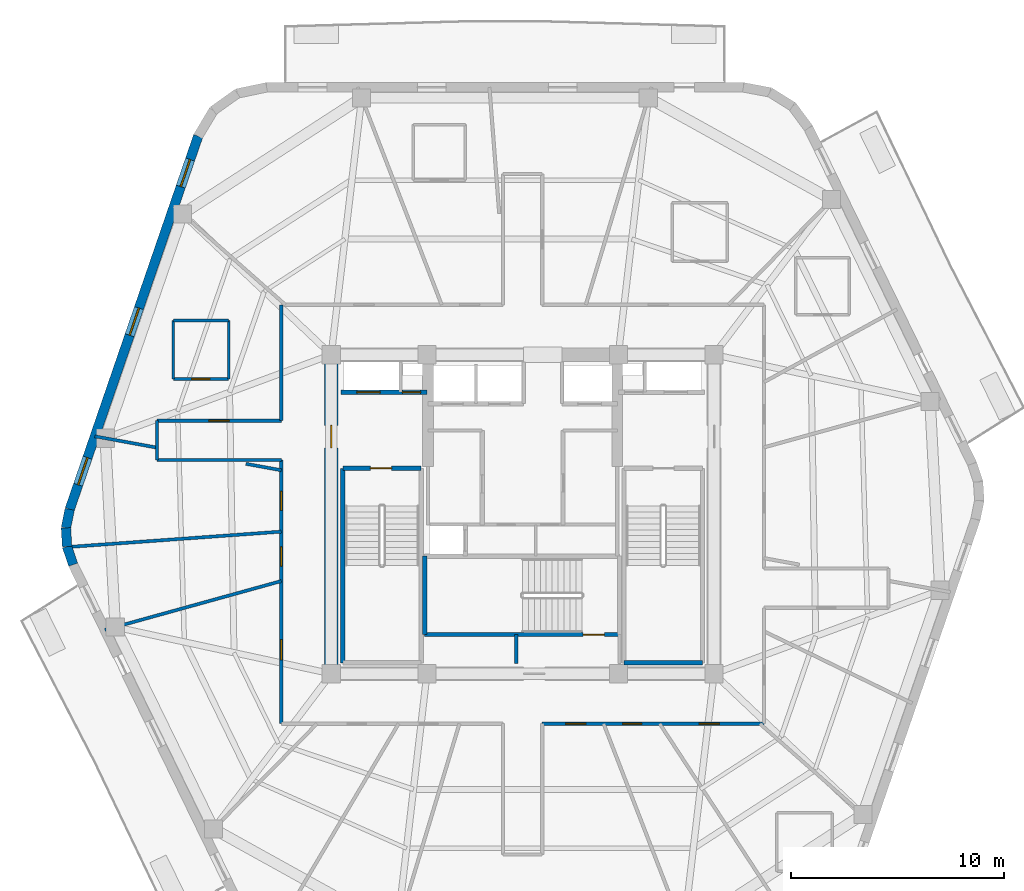
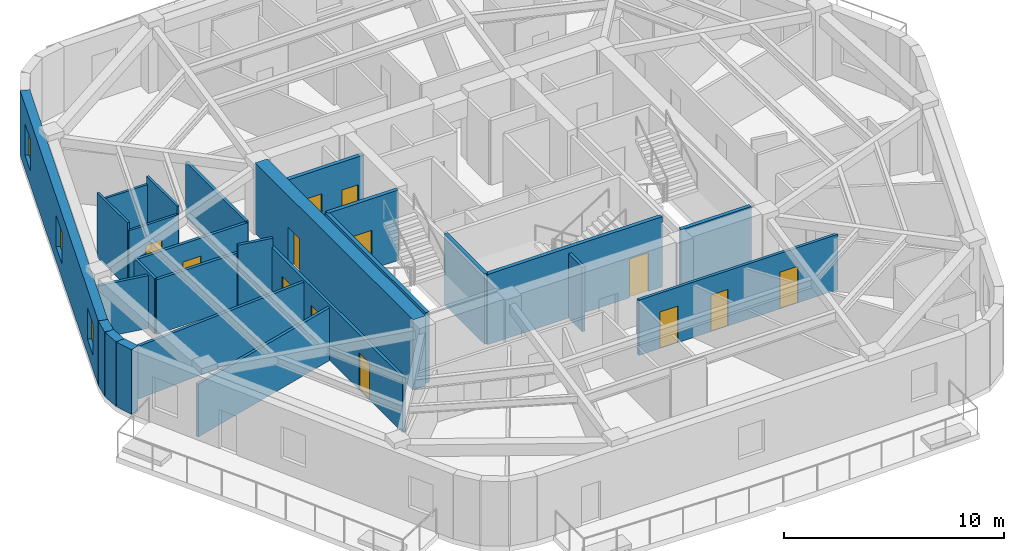
# One storey, part 3 of 9: 26 walls, 13 doors, 3 windows, 16 openings.
"""IFC4 building model written with IfcOpenShell, lengths in metres."""

from ifc_helpers import new_model, si_unit, direction, frame, frame_2d, origin, place, context, subcontext, project, spatial, rectangle, extrude, material, layer, layer_set, type_object, element, fill, save


model = new_model("IFC4")

# Units and contexts
model_context = context("Model", 3, precision=1e-05, world=origin(), true_north=direction((0.0, 1.0)))
body_context = subcontext(model_context, "Body", "Model", "MODEL_VIEW")
ifc_project = project(units=[si_unit("LENGTHUNIT", "METRE"), si_unit("AREAUNIT", "SQUARE_METRE"), si_unit("VOLUMEUNIT", "CUBIC_METRE"), si_unit("PLANEANGLEUNIT", "RADIAN"), si_unit("MASSUNIT", "GRAM", prefix="KILO")], contexts=[model_context])

# Site, building, storey
site_placement = place(None, origin())
site = spatial("IfcSite", under=ifc_project, at=site_placement, CompositionType="ELEMENT")
building_placement = place(site_placement, origin())
building = spatial("IfcBuilding", under=site, at=building_placement, Name="Kilnhurst Terrace Hotel", CompositionType="ELEMENT")
storey_placement = place(building_placement, frame((0.0, 0.0, 284.699951171875)))
storey = spatial("IfcBuildingStorey", under=building, at=storey_placement, Name="L71", CompositionType="ELEMENT", Elevation=284.699951171875)

# Walls
ifc_material_1 = material(Name="Precast concrete C40/50", Category="concrete")
ifc_layer_1 = layer(ifc_material_1, 0.449951171875, Name="Precast concrete C40/50")
ifc_layer_set_1 = layer_set([ifc_layer_1], Name="Precast concrete C40/50")
wall_type_1 = type_object("IfcWallType", Name="WL-BRK-450", PredefinedType="SOLIDWALL", material=ifc_layer_set_1)
wall_1_placement = place(storey_placement, frame((-21.297607421875, 0.2333984375, 0.0), z_axis=(0.0, 0.0, 1.0), x_axis=(-0.199158176661, -0.979967356941, 0.0)))
element("IfcWall", 1, at=wall_1_placement, inside=storey, type_object=wall_type_1, Name="L71 Rounded Corner Brick Wall C6.1", PredefinedType="SOLIDWALL", context=body_context, shape_type="SweptSolid", body=[
    extrude(rectangle(XDim=0.894775390625, YDim=0.449951171875, at=frame_2d((0.447265625, 0.0))), origin(), (0.0, 0.0, 1.0), 3.580078125),
])
wall_2_placement = place(storey_placement, frame((-21.475830078125, -0.6435546875, 0.0), z_axis=(0.0, 0.0, 1.0), x_axis=(0.061031097918, -0.998135865044, 0.0)))
element("IfcWall", 2, at=wall_2_placement, inside=storey, type_object=wall_type_1, Name="L71 Rounded Corner Brick Wall C6.2", PredefinedType="SOLIDWALL", context=body_context, shape_type="SweptSolid", body=[
    extrude(rectangle(XDim=0.880126953125, YDim=0.449951171875, at=frame_2d((0.43994140625, 0.0))), origin(), (0.0, 0.0, 1.0), 3.580078125),
])
wall_3_placement = place(storey_placement, frame((-21.422119140625, -1.52197265625, 0.0), z_axis=(0.0, 0.0, 1.0), x_axis=(0.316964162323, -0.94843751497, 0.0)))
element("IfcWall", 3, at=wall_3_placement, inside=storey, type_object=wall_type_1, Name="L71 Rounded Corner Brick Wall C6.3", PredefinedType="SOLIDWALL", context=body_context, shape_type="SweptSolid", body=[
    extrude(rectangle(XDim=0.89501953125, YDim=0.449951171875, at=frame_2d((0.447509765625, 0.0))), origin(), (0.0, 0.0, 1.0), 3.580078125),
])

# Wall, openings, windows
wall_4_placement = place(storey_placement, frame((-15.260498046875, 17.776123046875, 0.0), z_axis=(0.0, 0.0, 1.0), x_axis=(-0.325407437101, -0.945573899745, 0.0)))
wall_4 = element("IfcWall", 4, at=wall_4_placement, inside=storey, type_object=wall_type_1, Name="L71 Exterior Brick Facade Wall F5", PredefinedType="SOLIDWALL", context=body_context, shape_type="SweptSolid", body=[
    extrude(rectangle(XDim=18.552490234375, YDim=0.449951171875, at=frame_2d((9.2763671875, 0.0))), origin(), (0.0, 0.0, 1.0), 3.580078125),
])
opening_1_placement = place(wall_4_placement, frame((1.160888671875, 0.0, 0.800048828125)))
opening_1 = element("IfcOpeningElement", 5, at=opening_1_placement, cuts=wall_4, Name="Opening W-06", PredefinedType="OPENING", context=body_context, shape_type="SweptSolid", body=[
    extrude(rectangle(XDim=1.35009765625, YDim=1.75, at=frame_2d((0.675048828125, 0.875))), frame((0.0, 0.23486328125, 0.0), z_axis=(0.0, -1.0, 0.0), x_axis=(1.0, 0.0, 0.0)), (0.0, 0.0, 1.0), 0.469970703125),
])
opening_2_placement = place(wall_4_placement, frame((8.548095703125, 0.0, 0.800048828125)))
opening_2 = element("IfcOpeningElement", 6, at=opening_2_placement, cuts=wall_4, Name="Opening W-06", PredefinedType="OPENING", context=body_context, shape_type="SweptSolid", body=[
    extrude(rectangle(XDim=1.35009765625, YDim=1.75, at=frame_2d((0.675048828125, 0.875))), frame((0.0, 0.23486328125, 0.0), z_axis=(0.0, -1.0, 0.0), x_axis=(1.0, 0.0, 0.0)), (0.0, 0.0, 1.0), 0.469970703125),
])
opening_3_placement = place(wall_4_placement, frame((15.987060546875, 0.0, 0.800048828125)))
opening_3 = element("IfcOpeningElement", 7, at=opening_3_placement, cuts=wall_4, Name="Opening W-06", PredefinedType="OPENING", context=body_context, shape_type="SweptSolid", body=[
    extrude(rectangle(XDim=1.35009765625, YDim=1.75, at=frame_2d((0.675048828125, 0.875))), frame((0.0, 0.23486328125, 0.0), z_axis=(0.0, -1.0, 0.0), x_axis=(1.0, 0.0, 0.0)), (0.0, 0.0, 1.0), 0.469970703125),
])
ifc_material_2 = material(Name="Thermally Broken Bronze Aluminium Alloy 6063-T6 and Low-E Glass", Category="aluminium")
window_type = type_object("IfcWindowType", Name="WIN-1350X1750", PartitioningType="SINGLE_PANEL", PredefinedType="WINDOW", material=ifc_material_2)
window_1_placement = place(opening_1_placement, origin())
window_1 = element("IfcWindow", 8, at=window_1_placement, inside=storey, type_object=window_type, Name="L71 Deep-Set Masonry Window F5.1", OverallHeight=1.75, OverallWidth=1.35009765625, PartitioningType="SINGLE_PANEL", PredefinedType="WINDOW", context=body_context, shape_type="SweptSolid", body=[
    extrude(rectangle(XDim=1.35009765625, YDim=1.75, at=frame_2d((0.675048828125, 0.875))), frame((0.0, 0.030029296875, 0.0), z_axis=(0.0, -1.0, 0.0), x_axis=(1.0, 0.0, 0.0)), (0.0, 0.0, 1.0), 0.06005859375),
])
fill(opening_1, window_1)
window_2_placement = place(opening_2_placement, origin())
window_2 = element("IfcWindow", 9, at=window_2_placement, inside=storey, type_object=window_type, Name="L71 Deep-Set Masonry Window F5.2", OverallHeight=1.75, OverallWidth=1.35009765625, PartitioningType="SINGLE_PANEL", PredefinedType="WINDOW", context=body_context, shape_type="SweptSolid", body=[
    extrude(rectangle(XDim=1.35009765625, YDim=1.75, at=frame_2d((0.675048828125, 0.875))), frame((0.0, 0.030029296875, 0.0), z_axis=(0.0, -1.0, 0.0), x_axis=(1.0, 0.0, 0.0)), (0.0, 0.0, 1.0), 0.06005859375),
])
fill(opening_2, window_2)
window_3_placement = place(opening_3_placement, origin())
window_3 = element("IfcWindow", 10, at=window_3_placement, inside=storey, type_object=window_type, Name="L71 Deep-Set Masonry Window F5.3", OverallHeight=1.75, OverallWidth=1.35009765625, PartitioningType="SINGLE_PANEL", PredefinedType="WINDOW", context=body_context, shape_type="SweptSolid", body=[
    extrude(rectangle(XDim=1.35009765625, YDim=1.75, at=frame_2d((0.675048828125, 0.875))), frame((0.0, 0.030029296875, 0.0), z_axis=(0.0, -1.0, 0.0), x_axis=(1.0, 0.0, 0.0)), (0.0, 0.0, 1.0), 0.06005859375),
])
fill(opening_3, window_3)

# Wall, openings, doors
ifc_material_3 = material(Name="Acoustic Double-Gypsum Corridor Partition Assembly")
ifc_layer_2 = layer(ifc_material_3, 0.14990234375, Name="Acoustic Double-Gypsum Corridor Partition Assembly")
ifc_layer_set_2 = layer_set([ifc_layer_2], Name="Acoustic Double-Gypsum Corridor Partition Assembly")
wall_type_2 = type_object("IfcWallType", Name="WL-COR-150", PredefinedType="PARTITIONING", material=ifc_layer_set_2)
wall_5_placement = place(storey_placement, frame((-11.35009765625, -9.85009765625, 0.0), z_axis=(0.0, 0.0, 1.0), x_axis=(0.0, 1.0, 0.0)))
wall_5 = element("IfcWall", 11, at=wall_5_placement, inside=storey, type_object=wall_type_2, Name="L71 Interior Wall WL-L71-COR-01", PredefinedType="PARTITIONING", context=body_context, shape_type="SweptSolid", body=[
    extrude(rectangle(XDim=12.400146484375, YDim=0.14990234375, at=frame_2d((6.2001953125, 0.0))), origin(), (0.0, 0.0, 1.0), 3.070068359375),
])
opening_4_placement = place(wall_5_placement, frame((10.02587890625, 0.0, 0.0)))
opening_4 = element("IfcOpeningElement", 12, at=opening_4_placement, cuts=wall_5, Name="Opening D-60C", PredefinedType="OPENING", context=body_context, shape_type="SweptSolid", body=[
    extrude(rectangle(XDim=0.89990234375, YDim=2.030029296875, at=frame_2d((0.449951171875, 1.01513671875))), frame((0.0, 0.0849609375, 0.0), z_axis=(0.0, -1.0, 0.0), x_axis=(1.0, 0.0, 0.0)), (0.0, 0.0, 1.0), 0.169921875),
])
opening_5_placement = place(wall_5_placement, frame((7.4150390625, 0.0, 0.0)))
opening_5 = element("IfcOpeningElement", 13, at=opening_5_placement, cuts=wall_5, Name="Opening D-60C", PredefinedType="OPENING", context=body_context, shape_type="SweptSolid", body=[
    extrude(rectangle(XDim=0.89990234375, YDim=2.030029296875, at=frame_2d((0.449951171875, 1.01513671875))), frame((0.0, 0.0849609375, 0.0), z_axis=(0.0, -1.0, 0.0), x_axis=(1.0, 0.0, 0.0)), (0.0, 0.0, 1.0), 0.169921875),
])
opening_6_placement = place(wall_5_placement, frame((2.998046875, 0.0, 0.0)))
opening_6 = element("IfcOpeningElement", 14, at=opening_6_placement, cuts=wall_5, Name="Opening D-60B", PredefinedType="OPENING", context=body_context, shape_type="SweptSolid", body=[
    extrude(rectangle(XDim=0.949951171875, YDim=2.030029296875, at=frame_2d((0.47509765625, 1.01513671875))), frame((0.0, 0.0849609375, 0.0), z_axis=(0.0, -1.0, 0.0), x_axis=(1.0, 0.0, 0.0)), (0.0, 0.0, 1.0), 0.169921875),
])
ifc_material_4 = material(Name="Painted Solid-Core Service Fire Door")
door_type_1 = type_object("IfcDoorType", Name="DR-FD60-900", OperationType="NOTDEFINED", PredefinedType="DOOR", material=ifc_material_4)
door_1_placement = place(opening_4_placement, origin())
door_1 = element("IfcDoor", 15, at=door_1_placement, inside=storey, type_object=door_type_1, Name="L71 Botanical Reading Lounge Door 8", OperationType="SINGLE_SWING_RIGHT", OverallHeight=2.030029296875, OverallWidth=0.89990234375, PredefinedType="DOOR", context=body_context, shape_type="SweptSolid", body=[
    extrude(rectangle(XDim=0.89990234375, YDim=2.030029296875, at=frame_2d((0.449951171875, 1.01513671875))), frame((0.0, 0.02490234375, 0.0), z_axis=(0.0, -1.0, 0.0), x_axis=(1.0, 0.0, 0.0)), (0.0, 0.0, 1.0), 0.050048828125),
])
fill(opening_4, door_1)
door_2_placement = place(opening_5_placement, origin())
door_2 = element("IfcDoor", 16, at=door_2_placement, inside=storey, type_object=door_type_1, Name="L71 Private Meeting Salon Door 9", OperationType="SINGLE_SWING_LEFT", OverallHeight=2.030029296875, OverallWidth=0.89990234375, PredefinedType="DOOR", context=body_context, shape_type="SweptSolid", body=[
    extrude(rectangle(XDim=0.89990234375, YDim=2.030029296875, at=frame_2d((0.449951171875, 1.01513671875))), frame((0.0, 0.02490234375, 0.0), z_axis=(0.0, -1.0, 0.0), x_axis=(1.0, 0.0, 0.0)), (0.0, 0.0, 1.0), 0.050048828125),
])
fill(opening_5, door_2)
ifc_material_5 = material(Name="Acoustic Walnut Veneer Solid-Core Fire Door")
door_type_2 = type_object("IfcDoorType", Name="DR-FD60-950", OperationType="NOTDEFINED", PredefinedType="DOOR", material=ifc_material_5)
door_3_placement = place(opening_6_placement, origin())
door_3 = element("IfcDoor", 17, at=door_3_placement, inside=storey, type_object=door_type_2, Name="L71 Wellness Spa Room Door", OperationType="SINGLE_SWING_RIGHT", OverallHeight=2.030029296875, OverallWidth=0.949951171875, PredefinedType="DOOR", context=body_context, shape_type="SweptSolid", body=[
    extrude(rectangle(XDim=0.949951171875, YDim=2.030029296875, at=frame_2d((0.47509765625, 1.01513671875))), frame((0.0, 0.02490234375, 0.0), z_axis=(0.0, -1.0, 0.0), x_axis=(1.0, 0.0, 0.0)), (0.0, 0.0, 1.0), 0.050048828125),
])
fill(opening_6, door_3)

# Walls
wall_6_placement = place(storey_placement, frame((-11.35009765625, 2.550048828125, 0.0), z_axis=(0.0, 0.0, 1.0), x_axis=(-1.0, 0.0, 0.0)))
element("IfcWall", 18, at=wall_6_placement, inside=storey, type_object=wall_type_2, Name="L71 Interior Wall WL-L71-COR-02", PredefinedType="PARTITIONING", context=body_context, shape_type="SweptSolid", body=[
    extrude(rectangle(XDim=5.849853515625, YDim=0.14990234375, at=frame_2d((2.9248046875, 0.0))), origin(), (0.0, 0.0, 1.0), 3.0205078125),
])
wall_7_placement = place(storey_placement, frame((-17.199951171875, 2.550048828125, 0.0), z_axis=(0.0, 0.0, 1.0), x_axis=(0.0, 1.0, 0.0)))
element("IfcWall", 19, at=wall_7_placement, inside=storey, type_object=wall_type_2, Name="L71 Interior Wall WL-L71-COR-03", PredefinedType="PARTITIONING", context=body_context, shape_type="SweptSolid", body=[
    extrude(rectangle(XDim=1.849853515625, YDim=0.14990234375, at=frame_2d((0.9248046875, 0.0))), origin(), (0.0, 0.0, 1.0), 3.070068359375),
])

# Wall, opening, door
wall_8_placement = place(storey_placement, frame((-17.199951171875, 4.39990234375, 0.0), z_axis=(0.0, 0.0, 1.0), x_axis=(1.0, 0.0, 0.0)))
wall_8 = element("IfcWall", 20, at=wall_8_placement, inside=storey, type_object=wall_type_2, Name="L71 Interior Wall WL-L71-COR-04", PredefinedType="PARTITIONING", context=body_context, shape_type="SweptSolid", body=[
    extrude(rectangle(XDim=5.849853515625, YDim=0.14990234375, at=frame_2d((2.9248046875, 0.0))), origin(), (0.0, 0.0, 1.0), 3.0205078125),
])
opening_7_placement = place(wall_8_placement, frame((2.449951171875, 0.0, 0.0)))
opening_7 = element("IfcOpeningElement", 21, at=opening_7_placement, cuts=wall_8, Name="Opening D-60B", PredefinedType="OPENING", context=body_context, shape_type="SweptSolid", body=[
    extrude(rectangle(XDim=0.949951171875, YDim=2.030029296875, at=frame_2d((0.47509765625, 1.01513671875))), frame((0.0, 0.0849609375, 0.0), z_axis=(0.0, -1.0, 0.0), x_axis=(1.0, 0.0, 0.0)), (0.0, 0.0, 1.0), 0.169921875),
])
door_4_placement = place(opening_7_placement, origin())
door_4 = element("IfcDoor", 22, at=door_4_placement, inside=storey, type_object=door_type_2, Name="L71 Executive Suite Entry Door 7", OperationType="SINGLE_SWING_LEFT", OverallHeight=2.030029296875, OverallWidth=0.949951171875, PredefinedType="DOOR", context=body_context, shape_type="SweptSolid", body=[
    extrude(rectangle(XDim=0.949951171875, YDim=2.030029296875, at=frame_2d((0.47509765625, 1.01513671875))), frame((0.0, 0.02490234375, 0.0), z_axis=(0.0, -1.0, 0.0), x_axis=(1.0, 0.0, 0.0)), (0.0, 0.0, 1.0), 0.050048828125),
])
fill(opening_7, door_4)

# Wall
wall_9_placement = place(storey_placement, frame((-11.35009765625, 4.39990234375, 0.0), z_axis=(0.0, 0.0, 1.0), x_axis=(0.0, 1.0, 0.0)))
element("IfcWall", 23, at=wall_9_placement, inside=storey, type_object=wall_type_2, Name="L71 Interior Wall WL-L71-COR-05", PredefinedType="PARTITIONING", context=body_context, shape_type="SweptSolid", body=[
    extrude(rectangle(XDim=5.4501953125, YDim=0.14990234375, at=frame_2d((2.72509765625, 0.0))), origin(), (0.0, 0.0, 1.0), 3.070068359375),
])

# Wall, openings, doors
wall_10_placement = place(storey_placement, frame((11.35009765625, -9.85009765625, 0.0), z_axis=(0.0, 0.0, 1.0), x_axis=(-1.0, 0.0, 0.0)))
wall_10 = element("IfcWall", 24, at=wall_10_placement, inside=storey, type_object=wall_type_2, Name="L71 Interior Wall WL-L71-COR-16", PredefinedType="PARTITIONING", context=body_context, shape_type="SweptSolid", body=[
    extrude(rectangle(XDim=10.43017578125, YDim=0.14990234375, at=frame_2d((5.215087890625, 0.0))), origin(), (0.0, 0.0, 1.0), 3.070068359375),
])
opening_8_placement = place(wall_10_placement, frame((8.382080078125, 0.0, 0.0)))
opening_8 = element("IfcOpeningElement", 25, at=opening_8_placement, cuts=wall_10, Name="Opening D-60B", PredefinedType="OPENING", context=body_context, shape_type="SweptSolid", body=[
    extrude(rectangle(XDim=0.949951171875, YDim=2.030029296875, at=frame_2d((0.47509765625, 1.01513671875))), frame((0.0, 0.0849609375, 0.0), z_axis=(0.0, -1.0, 0.0), x_axis=(1.0, 0.0, 0.0)), (0.0, 0.0, 1.0), 0.169921875),
])
opening_9_placement = place(wall_10_placement, frame((5.75, 0.0, 0.0)))
opening_9 = element("IfcOpeningElement", 26, at=opening_9_placement, cuts=wall_10, Name="Opening D-60C", PredefinedType="OPENING", context=body_context, shape_type="SweptSolid", body=[
    extrude(rectangle(XDim=0.89990234375, YDim=2.030029296875, at=frame_2d((0.449951171875, 1.01513671875))), frame((0.0, 0.0849609375, 0.0), z_axis=(0.0, -1.0, 0.0), x_axis=(1.0, 0.0, 0.0)), (0.0, 0.0, 1.0), 0.169921875),
])
opening_10_placement = place(wall_10_placement, frame((2.096923828125, 0.0, 0.0)))
opening_10 = element("IfcOpeningElement", 27, at=opening_10_placement, cuts=wall_10, Name="Opening D-60B", PredefinedType="OPENING", context=body_context, shape_type="SweptSolid", body=[
    extrude(rectangle(XDim=0.949951171875, YDim=2.030029296875, at=frame_2d((0.47509765625, 1.01513671875))), frame((0.0, 0.0849609375, 0.0), z_axis=(0.0, -1.0, 0.0), x_axis=(1.0, 0.0, 0.0)), (0.0, 0.0, 1.0), 0.169921875),
])
door_5_placement = place(opening_9_placement, origin())
door_5 = element("IfcDoor", 28, at=door_5_placement, inside=storey, type_object=door_type_1, Name="L71 Executive Work Office Door 14", OperationType="SINGLE_SWING_RIGHT", OverallHeight=2.030029296875, OverallWidth=0.89990234375, PredefinedType="DOOR", context=body_context, shape_type="SweptSolid", body=[
    extrude(rectangle(XDim=0.89990234375, YDim=2.030029296875, at=frame_2d((0.449951171875, 1.01513671875))), frame((0.0, 0.02490234375, 0.0), z_axis=(0.0, -1.0, 0.0), x_axis=(1.0, 0.0, 0.0)), (0.0, 0.0, 1.0), 0.050048828125),
])
fill(opening_9, door_5)
door_6_placement = place(opening_8_placement, origin())
door_6 = element("IfcDoor", 29, at=door_6_placement, inside=storey, type_object=door_type_2, Name="L71 Fitness Studio Door", OperationType="SINGLE_SWING_LEFT", OverallHeight=2.030029296875, OverallWidth=0.949951171875, PredefinedType="DOOR", context=body_context, shape_type="SweptSolid", body=[
    extrude(rectangle(XDim=0.949951171875, YDim=2.030029296875, at=frame_2d((0.47509765625, 1.01513671875))), frame((0.0, 0.02490234375, 0.0), z_axis=(0.0, -1.0, 0.0), x_axis=(1.0, 0.0, 0.0)), (0.0, 0.0, 1.0), 0.050048828125),
])
fill(opening_8, door_6)
door_7_placement = place(opening_10_placement, origin())
door_7 = element("IfcDoor", 30, at=door_7_placement, inside=storey, type_object=door_type_2, Name="L71 Guest Room Entry Door 15", OperationType="SINGLE_SWING_LEFT", OverallHeight=2.030029296875, OverallWidth=0.949951171875, PredefinedType="DOOR", context=body_context, shape_type="SweptSolid", body=[
    extrude(rectangle(XDim=0.949951171875, YDim=2.030029296875, at=frame_2d((0.47509765625, 1.01513671875))), frame((0.0, 0.02490234375, 0.0), z_axis=(0.0, -1.0, 0.0), x_axis=(1.0, 0.0, 0.0)), (0.0, 0.0, 1.0), 0.050048828125),
])
fill(opening_10, door_7)

# Wall, opening, door
ifc_material_6 = material(Name="Concrete C60/75", Category="concrete")
ifc_layer_3 = layer(ifc_material_6, 0.64990234375, Name="Concrete C60/75")
ifc_layer_set_3 = layer_set([ifc_layer_3], Name="Concrete C60/75")
wall_type_3 = type_object("IfcWallType", Name="WL-CORE-650", PredefinedType="SHEAR", material=ifc_layer_set_3)
wall_11_placement = place(storey_placement, frame((-9.0, -7.175048828125, 0.0), z_axis=(0.0, 0.0, 1.0), x_axis=(0.0, 1.0, 0.0)))
wall_11 = element("IfcWall", 31, at=wall_11_placement, inside=storey, type_object=wall_type_3, Name="L71 Core West Shear Wall", PredefinedType="SHEAR", context=body_context, shape_type="SweptSolid", body=[
    extrude(rectangle(XDim=14.35009765625, YDim=0.64990234375, at=frame_2d((7.175048828125, 0.0))), origin(), (0.0, 0.0, 1.0), 3.900146484375),
])
opening_11_placement = place(wall_11_placement, frame((10.300048828125, 0.0, 0.0)))
opening_11 = element("IfcOpeningElement", 32, at=opening_11_placement, cuts=wall_11, Name="Opening D-90A", PredefinedType="OPENING", context=body_context, shape_type="SweptSolid", body=[
    extrude(rectangle(XDim=1.050048828125, YDim=2.14990234375, at=frame_2d((0.52490234375, 1.074951171875))), frame((0.0, 0.3349609375, 0.0), z_axis=(0.0, -1.0, 0.0), x_axis=(1.0, 0.0, 0.0)), (0.0, 0.0, 1.0), 0.669921875),
])
ifc_material_7 = material(Name="Painted Hollow Metal Steel ASTM A36 Fire Door", Category="steel")
door_type_3 = type_object("IfcDoorType", Name="DR-FD90-1050", OperationType="NOTDEFINED", PredefinedType="DOOR", material=ifc_material_7)
door_8_placement = place(opening_11_placement, origin())
door_8 = element("IfcDoor", 33, at=door_8_placement, inside=storey, type_object=door_type_3, Name="L71 West Firefighting Lobby Door", OperationType="SINGLE_SWING_RIGHT", OverallHeight=2.14990234375, OverallWidth=1.050048828125, PredefinedType="DOOR", context=body_context, shape_type="SweptSolid", body=[
    extrude(rectangle(XDim=1.050048828125, YDim=2.14990234375, at=frame_2d((0.52490234375, 1.074951171875))), frame((0.0, 0.02490234375, 0.0), z_axis=(0.0, -1.0, 0.0), x_axis=(1.0, 0.0, 0.0)), (0.0, 0.0, 1.0), 0.050048828125),
])
fill(opening_11, door_8)

# Walls
ifc_material_8 = material(Name="STC-58 Acoustic Twin-Frame Guestroom Demising Partition")
ifc_layer_4 = layer(ifc_material_8, 0.14990234375, Name="STC-58 Acoustic Twin-Frame Guestroom Demising Partition")
ifc_layer_set_4 = layer_set([ifc_layer_4], Name="STC-58 Acoustic Twin-Frame Guestroom Demising Partition")
wall_type_4 = type_object("IfcWallType", Name="WL-DEM-150", PredefinedType="PARTITIONING", material=ifc_layer_set_4)
wall_12_placement = place(storey_placement, frame((-11.35009765625, 2.067138671875, 0.0), z_axis=(0.0, 0.0, 1.0), x_axis=(-0.983807459651, 0.179228575665, 0.0)))
element("IfcWall", 34, at=wall_12_placement, inside=storey, type_object=wall_type_4, Name="L71 Interior Wall WL-L71-DEM-COL06-08-1", PredefinedType="PARTITIONING", context=body_context, shape_type="SweptSolid", body=[
    extrude(rectangle(XDim=1.6904296875, YDim=0.14990234375, at=frame_2d((0.84521484375, 0.0))), origin(), (0.0, 0.0, 1.0), 3.580078125),
])
wall_13_placement = place(storey_placement, frame((-17.199951171875, 3.132568359375, 0.0), z_axis=(0.0, 0.0, 1.0), x_axis=(-0.983817168797, 0.179175272791, 0.0)))
element("IfcWall", 35, at=wall_13_placement, inside=storey, type_object=wall_type_4, Name="L71 Interior Wall WL-L71-DEM-COL06-08-2", PredefinedType="PARTITIONING", context=body_context, shape_type="SweptSolid", body=[
    extrude(rectangle(XDim=2.965087890625, YDim=0.14990234375, at=frame_2d((1.482421875, 0.0))), origin(), (0.0, 0.0, 1.0), 2.920166015625),
])
wall_14_placement = place(storey_placement, frame((-11.35009765625, -0.81884765625, 0.0), z_axis=(0.0, 0.0, 1.0), x_axis=(-0.997408384284, -0.071948001776, 0.0)))
element("IfcWall", 36, at=wall_14_placement, inside=storey, type_object=wall_type_4, Name="L71 Interior Wall WL-L71-DEM-MID06-09-1", PredefinedType="PARTITIONING", context=body_context, shape_type="SweptSolid", body=[
    extrude(rectangle(XDim=9.92529296875, YDim=0.14990234375, at=frame_2d((4.962646484375, 0.0))), origin(), (0.0, 0.0, 1.0), 2.920166015625),
])
wall_15_placement = place(storey_placement, frame((-11.35009765625, -3.142822265625, 0.0), z_axis=(0.0, 0.0, 1.0), x_axis=(-0.963731818141, -0.266872596386, 0.0)))
element("IfcWall", 37, at=wall_15_placement, inside=storey, type_object=wall_type_4, Name="L71 Interior Wall WL-L71-DEM-COL07-10-1", PredefinedType="PARTITIONING", context=body_context, shape_type="SweptSolid", body=[
    extrude(rectangle(XDim=8.604736328125, YDim=0.14990234375, at=frame_2d((4.30224609375, 0.0))), origin(), (0.0, 0.0, 1.0), 2.920166015625),
])

# Wall, opening, door
ifc_material_9 = material(Name="120 mm Moisture-Resistant Tile-Backed Bathroom Partition")
ifc_layer_5 = layer(ifc_material_9, 0.1201171875, Name="120 mm Moisture-Resistant Tile-Backed Bathroom Partition")
ifc_layer_set_5 = layer_set([ifc_layer_5], Name="120 mm Moisture-Resistant Tile-Backed Bathroom Partition")
wall_type_5 = type_object("IfcWallType", Name="WL-PART-120", PredefinedType="PARTITIONING", material=ifc_layer_set_5)
wall_16_placement = place(storey_placement, frame((-16.427978515625, 6.35888671875, 0.0), z_axis=(0.0, 0.0, 1.0), x_axis=(1.0, 0.0, 0.0)))
wall_16 = element("IfcWall", 38, at=wall_16_placement, inside=storey, type_object=wall_type_5, Name="L71 Interior Wall WL-L71-BTH-07-1", PredefinedType="PARTITIONING", context=body_context, shape_type="SweptSolid", body=[
    extrude(rectangle(XDim=2.60009765625, YDim=0.1201171875, at=frame_2d((1.300048828125, 0.0))), origin(), (0.0, 0.0, 1.0), 3.15234375),
])
opening_12_placement = place(wall_16_placement, frame((0.875, 0.0, 0.0)))
opening_12 = element("IfcOpeningElement", 39, at=opening_12_placement, cuts=wall_16, Name="Opening D-08A", PredefinedType="OPENING", context=body_context, shape_type="SweptSolid", body=[
    extrude(rectangle(XDim=0.85009765625, YDim=2.030029296875, at=frame_2d((0.425048828125, 1.01513671875))), frame((0.0, 0.070068359375, 0.0), z_axis=(0.0, -1.0, 0.0), x_axis=(1.0, 0.0, 0.0)), (0.0, 0.0, 1.0), 0.14013671875),
])
ifc_material_10 = material(Name="Moisture-Resistant Lacquered En-suite Bathroom Door")
door_type_4 = type_object("IfcDoorType", Name="DR-INT-850", OperationType="NOTDEFINED", PredefinedType="DOOR", material=ifc_material_10)
door_9_placement = place(opening_12_placement, origin())
door_9 = element("IfcDoor", 40, at=door_9_placement, inside=storey, type_object=door_type_4, Name="L71 En-suite Bathroom Door 7", OperationType="SINGLE_SWING_RIGHT", OverallHeight=2.030029296875, OverallWidth=0.85009765625, PredefinedType="DOOR", context=body_context, shape_type="SweptSolid", body=[
    extrude(rectangle(XDim=0.85009765625, YDim=2.030029296875, at=frame_2d((0.425048828125, 1.01513671875))), frame((0.0, 0.02490234375, 0.0), z_axis=(0.0, -1.0, 0.0), x_axis=(1.0, 0.0, 0.0)), (0.0, 0.0, 1.0), 0.050048828125),
])
fill(opening_12, door_9)

# Walls
wall_17_placement = place(storey_placement, frame((-13.827880859375, 6.35888671875, 0.0), z_axis=(0.0, 0.0, 1.0), x_axis=(0.0, 1.0, 0.0)))
element("IfcWall", 41, at=wall_17_placement, inside=storey, type_object=wall_type_5, Name="L71 Interior Wall WL-L71-BTH-07-2", PredefinedType="PARTITIONING", context=body_context, shape_type="SweptSolid", body=[
    extrude(rectangle(XDim=2.75, YDim=0.1201171875, at=frame_2d((1.375, 0.0))), origin(), (0.0, 0.0, 1.0), 3.580078125),
])
wall_18_placement = place(storey_placement, frame((-13.827880859375, 9.10888671875, 0.0), z_axis=(0.0, 0.0, 1.0), x_axis=(-1.0, 0.0, 0.0)))
element("IfcWall", 42, at=wall_18_placement, inside=storey, type_object=wall_type_5, Name="L71 Interior Wall WL-L71-BTH-07-3", PredefinedType="PARTITIONING", context=body_context, shape_type="SweptSolid", body=[
    extrude(rectangle(XDim=2.60009765625, YDim=0.1201171875, at=frame_2d((1.300048828125, 0.0))), origin(), (0.0, 0.0, 1.0), 3.15234375),
])
wall_19_placement = place(storey_placement, frame((-16.427978515625, 9.10888671875, 0.0), z_axis=(0.0, 0.0, 1.0), x_axis=(0.0, -1.0, 0.0)))
element("IfcWall", 43, at=wall_19_placement, inside=storey, type_object=wall_type_5, Name="L71 Interior Wall WL-L71-BTH-07-4", PredefinedType="PARTITIONING", context=body_context, shape_type="SweptSolid", body=[
    extrude(rectangle(XDim=2.75, YDim=0.1201171875, at=frame_2d((1.375, 0.0))), origin(), (0.0, 0.0, 1.0), 3.580078125),
])
ifc_material_11 = material(Name="Fire-Rated Gypsum Shaftliner Assembly")
ifc_layer_6 = layer(ifc_material_11, 0.14990234375, Name="Fire-Rated Gypsum Shaftliner Assembly")
ifc_layer_set_6 = layer_set([ifc_layer_6], Name="Fire-Rated Gypsum Shaftliner Assembly")
wall_type_6 = type_object("IfcWallType", Name="WL-SHAFT-150", PredefinedType="PARTITIONING", material=ifc_layer_set_6)
wall_20_placement = place(storey_placement, frame((-0.300048828125, -7.02001953125, 0.0), z_axis=(0.0, 0.0, 1.0), x_axis=(0.0, 1.0, 0.0)))
element("IfcWall", 44, at=wall_20_placement, inside=storey, type_object=wall_type_6, Name="L71 Interior Wall WL-L71-ST3-PSGW", PredefinedType="PARTITIONING", context=body_context, shape_type="SweptSolid", body=[
    extrude(rectangle(XDim=1.362060546875, YDim=0.14990234375, at=frame_2d((0.68115234375, 0.0))), origin(), (0.0, 0.0, 1.0), 3.580078125),
])

# Wall, openings, doors
ifc_material_12 = material(Name="Autoclaved Aerated Concrete C30/37 and Gypsum Shaft Assembly", Category="concrete")
ifc_layer_7 = layer(ifc_material_12, 0.199951171875, Name="Autoclaved Aerated Concrete C30/37 and Gypsum Shaft Assembly")
ifc_layer_set_7 = layer_set([ifc_layer_7], Name="Autoclaved Aerated Concrete C30/37 and Gypsum Shaft Assembly")
wall_type_7 = type_object("IfcWallType", Name="WL-SHAFT-200", PredefinedType="PARTITIONING", material=ifc_layer_set_7)
wall_21_placement = place(storey_placement, frame((-8.550048828125, 5.739990234375, 0.0), z_axis=(0.0, 0.0, 1.0), x_axis=(1.0, 0.0, 0.0)))
wall_21 = element("IfcWall", 45, at=wall_21_placement, inside=storey, type_object=wall_type_7, Name="L71 Interior Wall WL-L71-FSAE1-S", PredefinedType="PARTITIONING", context=body_context, shape_type="SweptSolid", body=[
    extrude(rectangle(XDim=4.050048828125, YDim=0.199951171875, at=frame_2d((2.02490234375, 0.0))), origin(), (0.0, 0.0, 1.0), 3.580078125),
])
opening_13_placement = place(wall_21_placement, frame((0.75, 0.0, 0.0)))
opening_13 = element("IfcOpeningElement", 46, at=opening_13_placement, cuts=wall_21, Name="Opening LD-F1", PredefinedType="OPENING", context=body_context, shape_type="SweptSolid", body=[
    extrude(rectangle(XDim=1.10009765625, YDim=2.199951171875, at=frame_2d((0.550048828125, 1.10009765625))), frame((0.0, 0.10986328125, 0.0), z_axis=(0.0, -1.0, 0.0), x_axis=(1.0, 0.0, 0.0)), (0.0, 0.0, 1.0), 0.219970703125),
])
opening_14_placement = place(wall_21_placement, frame((2.89990234375, 0.0, 0.0)))
opening_14 = element("IfcOpeningElement", 47, at=opening_14_placement, cuts=wall_21, Name="Opening D-60D", PredefinedType="OPENING", context=body_context, shape_type="SweptSolid", body=[
    extrude(rectangle(XDim=0.85009765625, YDim=2.030029296875, at=frame_2d((0.425048828125, 1.01513671875))), frame((0.0, 0.10986328125, 0.0), z_axis=(0.0, -1.0, 0.0), x_axis=(1.0, 0.0, 0.0)), (0.0, 0.0, 1.0), 0.219970703125),
])
ifc_material_13 = material(Name="Painted Hollow Metal Steel ASTM A36 Riser Door", Category="steel")
door_type_5 = type_object("IfcDoorType", Name="DR-FD60-850", OperationType="NOTDEFINED", PredefinedType="DOOR", material=ifc_material_13)
door_10_placement = place(opening_14_placement, origin())
door_10 = element("IfcDoor", 48, at=door_10_placement, inside=storey, type_object=door_type_5, Name="L71 Electrical Riser Door", OperationType="SINGLE_SWING_LEFT", OverallHeight=2.030029296875, OverallWidth=0.85009765625, PredefinedType="DOOR", context=body_context, shape_type="SweptSolid", body=[
    extrude(rectangle(XDim=0.85009765625, YDim=2.030029296875, at=frame_2d((0.425048828125, 1.01513671875))), frame((0.0, 0.02490234375, 0.0), z_axis=(0.0, -1.0, 0.0), x_axis=(1.0, 0.0, 0.0)), (0.0, 0.0, 1.0), 0.050048828125),
])
fill(opening_14, door_10)
ifc_material_14 = material(Name="Bronze-Anodized Stainless Steel AISI 316L Sliding Door", Category="steel")
door_type_6 = type_object("IfcDoorType", Name="DR-LIFT-1100", OperationType="NOTDEFINED", PredefinedType="DOOR", material=ifc_material_14)
door_11_placement = place(opening_13_placement, origin())
door_11 = element("IfcDoor", 49, at=door_11_placement, inside=storey, type_object=door_type_6, Name="L71 FSAE-1 Landing Door", OperationType="SLIDING_TO_LEFT", OverallHeight=2.199951171875, OverallWidth=1.10009765625, PredefinedType="DOOR", context=body_context, shape_type="SweptSolid", body=[
    extrude(rectangle(XDim=1.10009765625, YDim=2.199951171875, at=frame_2d((0.550048828125, 1.10009765625))), frame((0.0, 0.02490234375, 0.0), z_axis=(0.0, -1.0, 0.0), x_axis=(1.0, 0.0, 0.0)), (0.0, 0.0, 1.0), 0.050048828125),
])
fill(opening_13, door_11)

# Wall
ifc_material_15 = material(Name="Concrete C50/60", Category="concrete")
ifc_layer_8 = layer(ifc_material_15, 0.199951171875, Name="Concrete C50/60")
ifc_layer_set_8 = layer_set([ifc_layer_8], Name="Concrete C50/60")
wall_type_8 = type_object("IfcWallType", Name="WL-STAIR-RC-200", PredefinedType="SHEAR", material=ifc_layer_set_8)
wall_22_placement = place(storey_placement, frame((-8.4580078125, -6.985107421875, 0.0), z_axis=(0.0, 0.0, 1.0), x_axis=(0.0, 1.0, 0.0)))
element("IfcWall", 50, at=wall_22_placement, inside=storey, type_object=wall_type_8, Name="L71 Structural Stair Shaft Wall WL-L71-ST1-W", PredefinedType="SHEAR", context=body_context, shape_type="SweptSolid", body=[
    extrude(rectangle(XDim=9.14306640625, YDim=0.199951171875, at=frame_2d((4.571533203125, 0.0))), origin(), (0.0, 0.0, 1.0), 3.900146484375),
])

# Wall, opening, door
wall_23_placement = place(storey_placement, frame((-8.4580078125, 2.157958984375, 0.0), z_axis=(0.0, 0.0, 1.0), x_axis=(1.0, 0.0, 0.0)))
wall_23 = element("IfcWall", 51, at=wall_23_placement, inside=storey, type_object=wall_type_8, Name="L71 Structural Stair Shaft Wall WL-L71-ST1-N", PredefinedType="SHEAR", context=body_context, shape_type="SweptSolid", body=[
    extrude(rectangle(XDim=3.68603515625, YDim=0.199951171875, at=frame_2d((1.843017578125, 0.0))), origin(), (0.0, 0.0, 1.0), 3.900146484375),
])
opening_15_placement = place(wall_23_placement, frame((1.300048828125, 0.0, 0.0)))
opening_15 = element("IfcOpeningElement", 52, at=opening_15_placement, cuts=wall_23, Name="Opening D-90B", PredefinedType="OPENING", context=body_context, shape_type="SweptSolid", body=[
    extrude(rectangle(XDim=1.0, YDim=2.14990234375, at=frame_2d((0.5, 1.074951171875))), frame((0.0, 0.10986328125, 0.0), z_axis=(0.0, -1.0, 0.0), x_axis=(1.0, 0.0, 0.0)), (0.0, 0.0, 1.0), 0.219970703125),
])
door_type_7 = type_object("IfcDoorType", Name="DR-FD90-1000", OperationType="NOTDEFINED", PredefinedType="DOOR", material=ifc_material_7)
door_12_placement = place(opening_15_placement, origin())
door_12 = element("IfcDoor", 53, at=door_12_placement, inside=storey, type_object=door_type_7, Name="L71 Stair ST-1 Door", OperationType="SINGLE_SWING_LEFT", OverallHeight=2.14990234375, OverallWidth=1.0, PredefinedType="DOOR", context=body_context, shape_type="SweptSolid", body=[
    extrude(rectangle(XDim=1.0, YDim=2.14990234375, at=frame_2d((0.5, 1.074951171875))), frame((0.0, 0.02490234375, 0.0), z_axis=(0.0, -1.0, 0.0), x_axis=(1.0, 0.0, 0.0)), (0.0, 0.0, 1.0), 0.050048828125),
])
fill(opening_15, door_12)

# Walls
for number, where, z_axis, x_axis, name in (
    (54, (4.77197265625, -6.985107421875, 0.0), (0.0, 0.0, 1.0), (1.0, 0.0, 0.0), "L71 Structural Stair Shaft Wall WL-L71-ST2-S"),
    (55, (-4.60791015625, -5.657958984375, 0.0), (0.0, 0.0, 1.0), (0.0, 1.0, 0.0), "L71 Structural Stair Shaft Wall WL-L71-ST3-W"),
):
    element("IfcWall", number, at=place(storey_placement, frame(where, z_axis=z_axis, x_axis=x_axis)), inside=storey, type_object=wall_type_8, Name=name, PredefinedType="SHEAR", context=body_context, shape_type="SweptSolid", body=[
        extrude(rectangle(XDim=3.68603515625, YDim=0.199951171875, at=frame_2d((1.843017578125, 0.0))), origin(), (0.0, 0.0, 1.0), 3.900146484375),
    ])

# Wall, opening, door
wall_24_placement = place(storey_placement, frame((-4.60791015625, -5.657958984375, 0.0), z_axis=(0.0, 0.0, 1.0), x_axis=(1.0, 0.0, 0.0)))
wall_24 = element("IfcWall", 56, at=wall_24_placement, inside=storey, type_object=wall_type_8, Name="L71 Structural Stair Shaft Wall WL-L71-ST3-S", PredefinedType="SHEAR", context=body_context, shape_type="SweptSolid", body=[
    extrude(rectangle(XDim=9.166015625, YDim=0.199951171875, at=frame_2d((4.5830078125, 0.0))), origin(), (0.0, 0.0, 1.0), 3.900146484375),
])
opening_16_placement = place(wall_24_placement, frame((7.449951171875, 0.0, 0.0)))
opening_16 = element("IfcOpeningElement", 57, at=opening_16_placement, cuts=wall_24, Name="Opening D-90B", PredefinedType="OPENING", context=body_context, shape_type="SweptSolid", body=[
    extrude(rectangle(XDim=1.0, YDim=2.14990234375, at=frame_2d((0.5, 1.074951171875))), frame((0.0, 0.10986328125, 0.0), z_axis=(0.0, -1.0, 0.0), x_axis=(1.0, 0.0, 0.0)), (0.0, 0.0, 1.0), 0.219970703125),
])
door_13_placement = place(opening_16_placement, origin())
door_13 = element("IfcDoor", 58, at=door_13_placement, inside=storey, type_object=door_type_7, Name="L71 Stair ST-3 Shaft Door", OperationType="SINGLE_SWING_LEFT", OverallHeight=2.14990234375, OverallWidth=1.0, PredefinedType="DOOR", context=body_context, shape_type="SweptSolid", body=[
    extrude(rectangle(XDim=1.0, YDim=2.14990234375, at=frame_2d((0.5, 1.074951171875))), frame((0.0, 0.02490234375, 0.0), z_axis=(0.0, -1.0, 0.0), x_axis=(1.0, 0.0, 0.0)), (0.0, 0.0, 1.0), 0.050048828125),
])
fill(opening_16, door_13)

save(model, "model.ifc")
